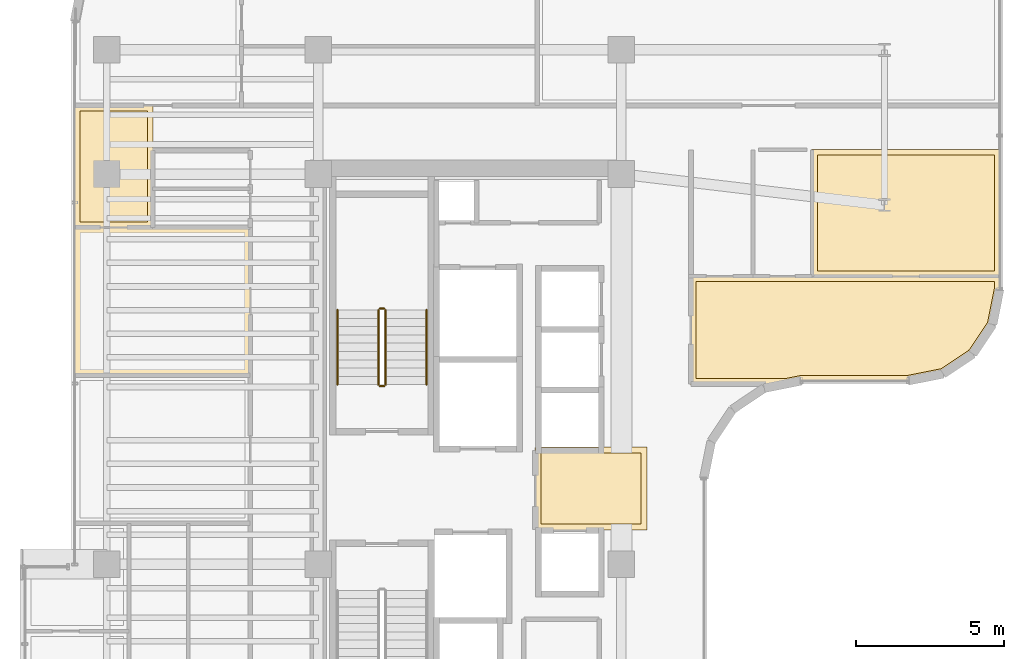
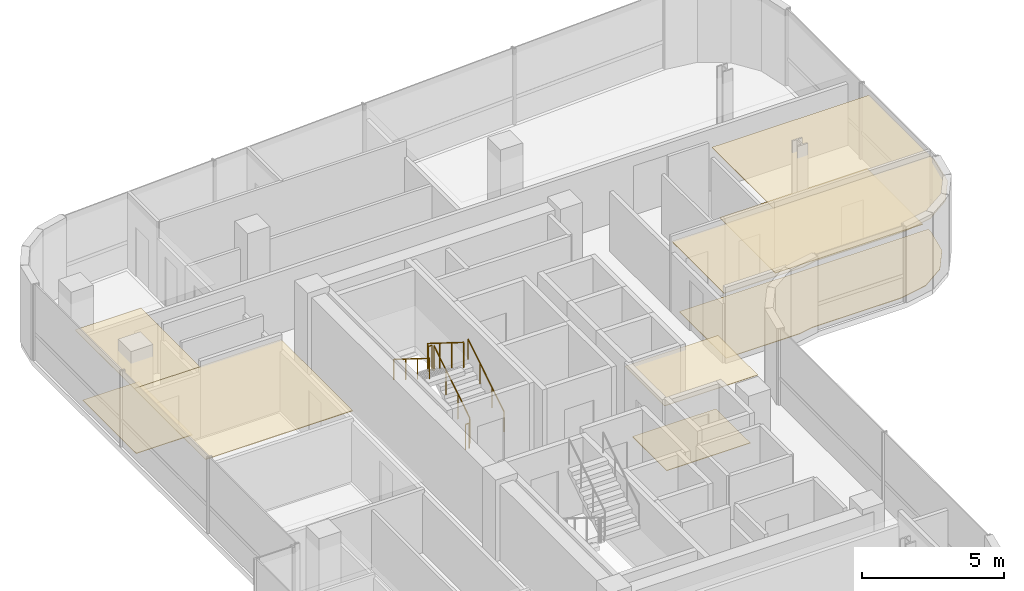
# One storey, part 23 of 24: 9 coverings, 6 railings.
"""IFC4 building model written with IfcOpenShell, lengths in metres."""

from ifc_helpers import new_model, si_unit, direction, frame, origin, origin_2d, place, context, subcontext, project, spatial, polyline, circle, outline, extrude, material, layer, layer_set, type_object, element, save


model = new_model("IFC4")

# Units and contexts
model_context = context("Model", 3, precision=1e-05, world=origin(), true_north=direction((0.0, 1.0)))
body_context = subcontext(model_context, "Body", "Model", "MODEL_VIEW")
ifc_project = project(units=[si_unit("LENGTHUNIT", "METRE"), si_unit("AREAUNIT", "SQUARE_METRE"), si_unit("VOLUMEUNIT", "CUBIC_METRE"), si_unit("PLANEANGLEUNIT", "RADIAN"), si_unit("MASSUNIT", "GRAM", prefix="KILO")], contexts=[model_context])

# Site, building, storey
site_placement = place(None, origin())
site = spatial("IfcSite", under=ifc_project, at=site_placement, CompositionType="ELEMENT")
building_placement = place(site_placement, origin())
building = spatial("IfcBuilding", under=site, at=building_placement, Name="Valdorenza Pilgrim Sanctuary Tower", CompositionType="ELEMENT")
storey_placement = place(building_placement, frame((0.0, 0.0, 205.5)))
storey = spatial("IfcBuildingStorey", under=building, at=storey_placement, Name="L52", CompositionType="ELEMENT", Elevation=205.5)

# Coverings
ifc_material_1 = material(Name="Micro-perforated acoustic mineral ceiling tile", Category="gypsum")
ifc_layer_1 = layer(ifc_material_1, 0.02490234375, Name="Micro-perforated acoustic mineral ceiling tile")
ifc_layer_set_1 = layer_set([ifc_layer_1], Name="Micro-perforated acoustic mineral ceiling tile")
covering_type_1 = type_object("IfcCoveringType", Name="COV-CLG-ACU", PredefinedType="CEILING", material=ifc_layer_set_1)
covering_1_placement = place(storey_placement, frame((0.0, 0.0, 2.9599609375)))
element("IfcCovering", 1, at=covering_1_placement, inside=storey, type_object=covering_type_1, Name="L52 Core A Passenger Lift Lobby Acoustic Ceiling", PredefinedType="CEILING", context=body_context, shape_type="SweptSolid", body=[
    extrude(outline(polyline([(-15.31298828125, 1.244384765625), (-15.31298828125, 1.24462890625), (-15.313720703125, 1.24609375), (-15.314208984375, 1.24755859375), (-15.314697265625, 1.2490234375), (-15.31494140625, 1.25048828125), (-15.31494140625, 1.251953125), (-15.31494140625, 1.35009765625), (-15.31494140625, 1.3515625), (-15.314697265625, 1.352783203125), (-15.314453125, 1.3544921875), (-15.31396484375, 1.355712890625), (-15.313232421875, 1.357177734375), (-15.3125, 1.3583984375), (-15.3115234375, 1.359619140625), (-15.310546875, 1.360595703125), (-15.3095703125, 1.361572265625), (-15.308349609375, 1.362548828125), (-15.30712890625, 1.36328125), (-15.3056640625, 1.364013671875), (-15.304443359375, 1.364501953125), (-15.302978515625, 1.36474609375), (-15.301513671875, 1.364990234375), (-15.300048828125, 1.364990234375), (-15.10205078125, 1.364990234375), (-15.1005859375, 1.364990234375), (-15.09912109375, 1.36474609375), (-15.097412109375, 1.3642578125), (-15.09619140625, 1.36376953125), (-15.0947265625, 1.363037109375), (-15.094482421875, 1.363037109375), (-13.185546875, 1.363037109375), (-13.185302734375, 1.363037109375), (-13.183837890625, 1.36376953125), (-13.1826171875, 1.3642578125), (-13.180908203125, 1.36474609375), (-13.179443359375, 1.364990234375), (-13.177978515625, 1.364990234375), (-11.550048828125, 1.364990234375), (-11.548583984375, 1.364990234375), (-11.547119140625, 1.36474609375), (-11.545654296875, 1.364501953125), (-11.544189453125, 1.364013671875), (-11.54296875, 1.36328125), (-11.541748046875, 1.362548828125), (-11.54052734375, 1.361572265625), (-11.539306640625, 1.360595703125), (-11.538330078125, 1.359619140625), (-11.53759765625, 1.3583984375), (-11.536865234375, 1.357177734375), (-11.5361328125, 1.355712890625), (-11.53564453125, 1.3544921875), (-11.535400390625, 1.352783203125), (-11.53515625, 1.3515625), (-11.534912109375, 1.35009765625), (-11.534912109375, -1.419921875), (-11.53515625, -1.42138671875), (-11.535400390625, -1.4228515625), (-11.53564453125, -1.42431640625), (-11.5361328125, -1.42578125), (-11.536865234375, -1.427001953125), (-11.53759765625, -1.42822265625), (-11.538330078125, -1.429443359375), (-11.539306640625, -1.4306640625), (-11.54052734375, -1.431640625), (-11.541748046875, -1.4326171875), (-11.54296875, -1.43310546875), (-11.544189453125, -1.433837890625), (-11.545654296875, -1.434326171875), (-11.547119140625, -1.434814453125), (-11.548583984375, -1.434814453125), (-11.550048828125, -1.43505859375), (-15.298095703125, -1.43505859375), (-15.299560546875, -1.434814453125), (-15.30078125, -1.434814453125), (-15.302490234375, -1.434326171875), (-15.3037109375, -1.433837890625), (-15.30517578125, -1.43310546875), (-15.306396484375, -1.4326171875), (-15.3076171875, -1.431640625), (-15.30859375, -1.4306640625), (-15.3095703125, -1.429443359375), (-15.310546875, -1.42822265625), (-15.311279296875, -1.427001953125), (-15.31201171875, -1.42578125), (-15.3125, -1.42431640625), (-15.312744140625, -1.4228515625), (-15.31298828125, -1.42138671875), (-15.31298828125, -1.419921875), (-15.31298828125, 1.244384765625)])), origin(), (0.0, 0.0, 1.0), 0.025146484375),
])
covering_2_placement = place(storey_placement, frame((0.0, 0.0, 2.9599609375)))
element("IfcCovering", 2, at=covering_2_placement, inside=storey, type_object=covering_type_1, Name="L52 Pilgrim Scholar Office L52-WN Acoustic Ceiling", PredefinedType="CEILING", context=body_context, shape_type="SweptSolid", body=[
    extrude(outline(polyline([(-28.237060546875, 11.39453125), (-28.237060546875, 10.103759765625), (-28.23681640625, 10.10302734375), (-28.23681640625, 10.1015625), (-28.23681640625, 10.10009765625), (-28.23681640625, 10.098388671875), (-28.237060546875, 10.09814453125), (-28.237060546875, 8.800048828125), (-28.237060546875, 8.798583984375), (-28.2373046875, 8.797119140625), (-28.237548828125, 8.795654296875), (-28.238037109375, 8.794189453125), (-28.23876953125, 8.79296875), (-28.239501953125, 8.791748046875), (-28.240478515625, 8.79052734375), (-28.241455078125, 8.789306640625), (-28.242431640625, 8.788330078125), (-28.24365234375, 8.78759765625), (-28.244873046875, 8.786865234375), (-28.246337890625, 8.7861328125), (-28.24755859375, 8.78564453125), (-28.2490234375, 8.785400390625), (-28.25048828125, 8.78515625), (-28.251953125, 8.784912109375), (-30.889892578125, 8.784912109375), (-30.8916015625, 8.78515625), (-30.892822265625, 8.785400390625), (-30.894287109375, 8.78564453125), (-30.895751953125, 8.7861328125), (-30.897216796875, 8.786865234375), (-30.898193359375, 8.78759765625), (-30.8994140625, 8.788330078125), (-30.900634765625, 8.789306640625), (-30.901611328125, 8.79052734375), (-30.902587890625, 8.791748046875), (-30.9033203125, 8.79296875), (-30.90380859375, 8.794189453125), (-30.904296875, 8.795654296875), (-30.90478515625, 8.797119140625), (-30.90478515625, 8.798583984375), (-30.905029296875, 8.800048828125), (-30.905029296875, 12.919921875), (-30.90478515625, 12.92138671875), (-30.90478515625, 12.9228515625), (-30.904296875, 12.92431640625), (-30.90380859375, 12.92578125), (-30.9033203125, 12.927001953125), (-30.902587890625, 12.92822265625), (-30.901611328125, 12.929443359375), (-30.900634765625, 12.9306640625), (-30.8994140625, 12.931640625), (-30.898193359375, 12.9326171875), (-30.897216796875, 12.93310546875), (-30.895751953125, 12.933837890625), (-30.894287109375, 12.934326171875), (-30.892822265625, 12.934814453125), (-30.8916015625, 12.934814453125), (-30.889892578125, 12.93505859375), (-28.25, 12.93505859375), (-28.24853515625, 12.934814453125), (-28.2470703125, 12.934814453125), (-28.24560546875, 12.934326171875), (-28.244384765625, 12.933837890625), (-28.242919921875, 12.93310546875), (-28.24169921875, 12.9326171875), (-28.240478515625, 12.931640625), (-28.239501953125, 12.9306640625), (-28.23828125, 12.929443359375), (-28.237548828125, 12.92822265625), (-28.23681640625, 12.927001953125), (-28.236083984375, 12.92578125), (-28.235595703125, 12.92431640625), (-28.2353515625, 12.9228515625), (-28.235107421875, 12.92138671875), (-28.235107421875, 12.919921875), (-28.235107421875, 11.402099609375), (-28.235107421875, 11.400390625), (-28.2353515625, 11.39892578125), (-28.235595703125, 11.3974609375), (-28.236083984375, 11.39599609375), (-28.23681640625, 11.394775390625), (-28.237060546875, 11.39453125)])), origin(), (0.0, 0.0, 1.0), 0.025146484375),
])
covering_3_placement = place(storey_placement, frame((0.0, 0.0, 2.9599609375)))
element("IfcCovering", 3, at=covering_3_placement, inside=storey, type_object=covering_type_1, Name="L52 Curator Research Office L52-W Acoustic Ceiling", PredefinedType="CEILING", context=body_context, shape_type="SweptSolid", body=[
    extrude(outline(polyline([(-28.253662109375, 8.81298828125), (-28.253173828125, 8.81298828125), (-28.25146484375, 8.813232421875), (-28.25, 8.813232421875), (-28.24853515625, 8.81298828125), (-28.248291015625, 8.81298828125), (-24.949951171875, 8.81298828125), (-24.948486328125, 8.81298828125), (-24.947021484375, 8.812744140625), (-24.945556640625, 8.8125), (-24.9443359375, 8.81201171875), (-24.94287109375, 8.811279296875), (-24.941650390625, 8.810546875), (-24.9404296875, 8.8095703125), (-24.939453125, 8.80859375), (-24.9384765625, 8.8076171875), (-24.9375, 8.806396484375), (-24.936767578125, 8.80517578125), (-24.93603515625, 8.8037109375), (-24.935546875, 8.802490234375), (-24.935302734375, 8.80078125), (-24.93505859375, 8.799560546875), (-24.93505859375, 8.798095703125), (-24.93505859375, 3.797607421875), (-24.93505859375, 3.7958984375), (-24.935302734375, 3.794677734375), (-24.935546875, 3.793212890625), (-24.93603515625, 3.791748046875), (-24.936767578125, 3.790283203125), (-24.9375, 3.789306640625), (-24.9384765625, 3.7880859375), (-24.939453125, 3.786865234375), (-24.9404296875, 3.785888671875), (-24.941650390625, 3.784912109375), (-24.94287109375, 3.7841796875), (-24.9443359375, 3.78369140625), (-24.945556640625, 3.783203125), (-24.947021484375, 3.78271484375), (-24.948486328125, 3.78271484375), (-24.949951171875, 3.782470703125), (-30.889892578125, 3.782470703125), (-30.8916015625, 3.78271484375), (-30.892822265625, 3.78271484375), (-30.894287109375, 3.783203125), (-30.895751953125, 3.78369140625), (-30.897216796875, 3.7841796875), (-30.898193359375, 3.784912109375), (-30.8994140625, 3.785888671875), (-30.900634765625, 3.786865234375), (-30.901611328125, 3.7880859375), (-30.902587890625, 3.789306640625), (-30.9033203125, 3.790283203125), (-30.90380859375, 3.791748046875), (-30.904296875, 3.793212890625), (-30.90478515625, 3.794677734375), (-30.90478515625, 3.7958984375), (-30.905029296875, 3.797607421875), (-30.905029296875, 8.798095703125), (-30.90478515625, 8.799560546875), (-30.90478515625, 8.80078125), (-30.904296875, 8.802490234375), (-30.90380859375, 8.8037109375), (-30.9033203125, 8.80517578125), (-30.902587890625, 8.806396484375), (-30.901611328125, 8.8076171875), (-30.900634765625, 8.80859375), (-30.8994140625, 8.8095703125), (-30.898193359375, 8.810546875), (-30.897216796875, 8.811279296875), (-30.895751953125, 8.81201171875), (-30.894287109375, 8.8125), (-30.892822265625, 8.812744140625), (-30.8916015625, 8.81298828125), (-30.889892578125, 8.81298828125), (-28.253662109375, 8.81298828125)])), origin(), (0.0, 0.0, 1.0), 0.025146484375),
])
covering_4_placement = place(storey_placement, frame((0.0, 0.0, 2.9599609375)))
element("IfcCovering", 4, at=covering_4_placement, inside=storey, type_object=covering_type_1, Name="L52 East Sanctuary Apartment L52-E1 Bedroom Acoustic Ceiling", PredefinedType="CEILING", context=body_context, shape_type="SweptSolid", body=[
    extrude(outline(polyline([(-5.965087890625, 11.419921875), (-5.96484375, 11.42138671875), (-5.964599609375, 11.4228515625), (-5.96435546875, 11.42431640625), (-5.9638671875, 11.42578125), (-5.963134765625, 11.427001953125), (-5.96240234375, 11.42822265625), (-5.961669921875, 11.429443359375), (-5.960693359375, 11.4306640625), (-5.95947265625, 11.431640625), (-5.958251953125, 11.4326171875), (-5.95703125, 11.43310546875), (-5.955810546875, 11.433837890625), (-5.954345703125, 11.434326171875), (-5.952880859375, 11.434814453125), (-5.951416015625, 11.434814453125), (-5.949951171875, 11.43505859375), (0.389892578125, 11.43505859375), (0.3916015625, 11.434814453125), (0.392822265625, 11.434814453125), (0.394287109375, 11.434326171875), (0.395751953125, 11.433837890625), (0.397216796875, 11.43310546875), (0.398193359375, 11.4326171875), (0.3994140625, 11.431640625), (0.400634765625, 11.4306640625), (0.401611328125, 11.429443359375), (0.402587890625, 11.42822265625), (0.4033203125, 11.427001953125), (0.40380859375, 11.42578125), (0.404296875, 11.42431640625), (0.40478515625, 11.4228515625), (0.40478515625, 11.42138671875), (0.405029296875, 11.419921875), (0.405029296875, 7.143310546875), (0.40478515625, 7.1416015625), (0.40478515625, 7.140380859375), (0.404296875, 7.138916015625), (0.40380859375, 7.137451171875), (0.4033203125, 7.135986328125), (0.402587890625, 7.135009765625), (0.401611328125, 7.1337890625), (0.400634765625, 7.132568359375), (0.3994140625, 7.131591796875), (0.398193359375, 7.130615234375), (0.397216796875, 7.1298828125), (0.395751953125, 7.12939453125), (0.394287109375, 7.12890625), (0.392822265625, 7.12841796875), (0.3916015625, 7.12841796875), (0.389892578125, 7.128173828125), (-5.949951171875, 7.128173828125), (-5.951416015625, 7.12841796875), (-5.952880859375, 7.12841796875), (-5.954345703125, 7.12890625), (-5.955810546875, 7.12939453125), (-5.95703125, 7.1298828125), (-5.958251953125, 7.130615234375), (-5.95947265625, 7.131591796875), (-5.960693359375, 7.132568359375), (-5.961669921875, 7.1337890625), (-5.96240234375, 7.135009765625), (-5.963134765625, 7.135986328125), (-5.9638671875, 7.137451171875), (-5.96435546875, 7.138916015625), (-5.964599609375, 7.140380859375), (-5.96484375, 7.1416015625), (-5.965087890625, 7.143310546875), (-5.965087890625, 11.419921875)])), origin(), (0.0, 0.0, 1.0), 0.025146484375),
])
covering_5_placement = place(storey_placement, frame((0.0, 0.0, 2.9599609375)))
element("IfcCovering", 5, at=covering_5_placement, inside=storey, type_object=covering_type_1, Name="L52 East Sanctuary Apartment L52-E1 Living Room Acoustic Ceiling", PredefinedType="CEILING", context=body_context, shape_type="SweptSolid", body=[
    extrude(outline(polyline([(-10.06494140625, 7.143310546875), (-10.06494140625, 7.144775390625), (-10.064697265625, 7.14599609375), (-10.064453125, 7.147705078125), (-10.06396484375, 7.14892578125), (-10.063232421875, 7.150390625), (-10.0625, 7.151611328125), (-10.0615234375, 7.152587890625), (-10.060546875, 7.15380859375), (-10.0595703125, 7.15478515625), (-10.058349609375, 7.15576171875), (-10.05712890625, 7.156494140625), (-10.0556640625, 7.156982421875), (-10.054443359375, 7.15771484375), (-10.052978515625, 7.157958984375), (-10.051513671875, 7.158203125), (-10.050048828125, 7.158203125), (-5.951904296875, 7.158203125), (-5.95068359375, 7.158203125), (-5.94921875, 7.157958984375), (-5.94775390625, 7.15771484375), (-5.9462890625, 7.156982421875), (-5.945068359375, 7.156494140625), (-5.944580078125, 7.15625), (0.389892578125, 7.15625), (0.3916015625, 7.156005859375), (0.392822265625, 7.156005859375), (0.394287109375, 7.155517578125), (0.395751953125, 7.155029296875), (0.397216796875, 7.154296875), (0.398193359375, 7.15380859375), (0.3994140625, 7.15283203125), (0.400634765625, 7.15185546875), (0.401611328125, 7.150634765625), (0.402587890625, 7.1494140625), (0.4033203125, 7.148193359375), (0.40380859375, 7.14697265625), (0.404296875, 7.1455078125), (0.40478515625, 7.14404296875), (0.40478515625, 7.142578125), (0.405029296875, 7.14111328125), (0.405029296875, 6.710693359375), (0.40478515625, 6.70947265625), (0.40478515625, 6.7080078125), (0.16748046875, 5.515380859375), (0.1669921875, 5.513916015625), (0.16650390625, 5.5126953125), (0.166015625, 5.51123046875), (0.165283203125, 5.510009765625), (-0.504150390625, 4.50830078125), (-0.5048828125, 4.507080078125), (-0.506103515625, 4.506103515625), (-0.507080078125, 4.5048828125), (-0.50830078125, 4.504150390625), (-1.510009765625, 3.834716796875), (-1.51123046875, 3.833984375), (-1.5126953125, 3.83349609375), (-1.513916015625, 3.8330078125), (-1.515380859375, 3.83251953125), (-2.7080078125, 3.59521484375), (-2.70947265625, 3.59521484375), (-2.710693359375, 3.594970703125), (-6.299560546875, 3.594970703125), (-6.309326171875, 3.594482421875), (-6.31884765625, 3.593017578125), (-6.86083984375, 3.4853515625), (-6.8623046875, 3.485107421875), (-6.86376953125, 3.485107421875), (-10.050048828125, 3.485107421875), (-10.051513671875, 3.485107421875), (-10.052978515625, 3.4853515625), (-10.054443359375, 3.485595703125), (-10.0556640625, 3.486083984375), (-10.05712890625, 3.48681640625), (-10.058349609375, 3.487548828125), (-10.0595703125, 3.48828125), (-10.060546875, 3.489501953125), (-10.0615234375, 3.490478515625), (-10.0625, 3.49169921875), (-10.063232421875, 3.492919921875), (-10.06396484375, 3.494384765625), (-10.064453125, 3.49560546875), (-10.064697265625, 3.4970703125), (-10.06494140625, 3.49853515625), (-10.06494140625, 3.5), (-10.06494140625, 7.143310546875)])), origin(), (0.0, 0.0, 1.0), 0.025146484375),
])
ifc_material_2 = material(Name="Engineered European oak timber flooring", Category="wood")
ifc_layer_2 = layer(ifc_material_2, 0.02197265625, Name="Engineered European oak timber flooring")
ifc_layer_set_2 = layer_set([ifc_layer_2], Name="Engineered European oak timber flooring")
covering_type_2 = type_object("IfcCoveringType", Name="COV-FLR-OAK", PredefinedType="FLOORING", material=ifc_layer_set_2)
covering_6_placement = place(storey_placement, origin())
element("IfcCovering", 6, at=covering_6_placement, inside=storey, type_object=covering_type_2, Name="L52 East Sanctuary Apartment L52-E1 Bedroom Flooring", PredefinedType="FLOORING", context=body_context, shape_type="SweptSolid", body=[
    extrude(outline(polyline([(-5.77001953125, 11.239990234375), (0.2099609375, 11.239990234375), (0.2099609375, 7.3232421875), (-5.77001953125, 7.3232421875), (-5.77001953125, 11.239990234375)])), origin(), (0.0, 0.0, 1.0), 0.02490234375),
])
covering_7_placement = place(storey_placement, origin())
element("IfcCovering", 7, at=covering_7_placement, inside=storey, type_object=covering_type_2, Name="L52 East Sanctuary Apartment L52-E1 Living Room Flooring", PredefinedType="FLOORING", context=body_context, shape_type="SweptSolid", body=[
    extrude(outline(polyline([(-9.8701171875, 6.963134765625), (-5.976806640625, 6.963134765625), (-5.976806640625, 6.963134765625), (-5.9765625, 6.963134765625), (-5.958984375, 6.96142578125), (-5.958740234375, 6.96142578125), (-5.949951171875, 6.961181640625), (0.2099609375, 6.961181640625), (0.2099609375, 6.728515625), (-0.016845703125, 5.588623046875), (-0.646484375, 4.646484375), (-1.588623046875, 4.016845703125), (-2.728515625, 3.7900390625), (-6.300048828125, 3.7900390625), (-6.308837890625, 3.789794921875), (-6.319580078125, 3.789306640625), (-6.337158203125, 3.78759765625), (-6.347900390625, 3.785888671875), (-6.356689453125, 3.784423828125), (-6.881591796875, 3.679931640625), (-9.8701171875, 3.679931640625), (-9.8701171875, 6.963134765625)])), origin(), (0.0, 0.0, 1.0), 0.02490234375),
])
ifc_material_3 = material(Name="Honed travertine stone flooring", Category="masonry")
ifc_layer_3 = layer(ifc_material_3, 0.030029296875, Name="Honed travertine stone flooring")
ifc_layer_set_3 = layer_set([ifc_layer_3], Name="Honed travertine stone flooring")
covering_type_3 = type_object("IfcCoveringType", Name="COV-FLR-TRV", PredefinedType="FLOORING", material=ifc_layer_set_3)
covering_8_placement = place(storey_placement, origin())
element("IfcCovering", 8, at=covering_8_placement, inside=storey, type_object=covering_type_3, Name="L52 Core A Passenger Lift Lobby Flooring", PredefinedType="FLOORING", context=body_context, shape_type="SweptSolid", body=[
    extrude(outline(polyline([(-15.117919921875, 1.169189453125), (-15.10888671875, 1.168212890625), (-15.10888671875, 1.168212890625), (-15.10009765625, 1.16796875), (-13.179931640625, 1.16796875), (-13.1796875, 1.16796875), (-11.72998046875, 1.169921875), (-11.72998046875, -1.239990234375), (-15.117919921875, -1.239990234375), (-15.117919921875, 1.169189453125)])), origin(), (0.0, 0.0, 1.0), 0.02490234375),
])
covering_9_placement = place(storey_placement, origin())
element("IfcCovering", 9, at=covering_9_placement, inside=storey, type_object=covering_type_3, Name="L52 Pilgrim Scholar Office L52-WN Flooring", PredefinedType="FLOORING", context=body_context, shape_type="SweptSolid", body=[
    extrude(outline(polyline([(-28.431884765625, 10.100341796875), (-28.431884765625, 10.10009765625), (-28.431884765625, 8.97998046875), (-30.7099609375, 8.97998046875), (-30.7099609375, 12.739990234375), (-28.429931640625, 12.739990234375), (-28.429931640625, 11.427001953125), (-28.429931640625, 11.4267578125), (-28.429931640625, 11.426513671875), (-28.431884765625, 11.408935546875), (-28.431884765625, 11.40869140625), (-28.431884765625, 11.39990234375), (-28.431884765625, 10.10205078125), (-28.431884765625, 10.10107421875), (-28.431884765625, 10.100341796875)])), origin(), (0.0, 0.0, 1.0), 0.02490234375),
])

# Railings
ifc_material_4 = material(Name="Stainless steel Grade 316", Category="steel")
railing_type_1 = type_object("IfcRailingType", Name="RLG-GRD-1120", PredefinedType="GUARDRAIL", material=ifc_material_4)
railing_1_placement = place(storey_placement, frame((-20.3701171875, 3.47998046875, 0.175048828125)))
element("IfcRailing", 10, at=railing_1_placement, inside=storey, type_object=railing_type_1, Name="L52 ST-A1 stair guard 1", PredefinedType="GUARDRAIL", context=body_context, shape_type="SweptSolid", body=[
    extrude(circle(Radius=0.02392578125, at=origin_2d()), frame((0.0, 0.0, 1.076171875), z_axis=(0.0, 0.848007534815, 0.529984170421), x_axis=(-1.0, 0.0, 0.0)), (0.0, 0.0, 1.0), 2.9716796875),
    extrude(circle(Radius=0.02099609375, at=origin_2d()), origin(), (0.0, 0.0, 1.0), 1.052001953125),
    extrude(circle(Radius=0.02099609375, at=origin_2d()), frame((0.0, 0.840087890625, 0.52490234375)), (0.0, 0.0, 1.0), 1.052001953125),
    extrude(circle(Radius=0.02099609375, at=origin_2d()), frame((0.0, 1.679931640625, 1.050048828125)), (0.0, 0.0, 1.0), 1.052001953125),
    extrude(circle(Radius=0.02099609375, at=origin_2d()), frame((0.0, 2.52001953125, 1.574951171875)), (0.0, 0.0, 1.0), 1.052001953125),
])
railing_2_placement = place(storey_placement, frame((-20.419921875, 6.050048828125, 1.75)))
element("IfcRailing", 11, at=railing_2_placement, inside=storey, type_object=railing_type_1, Name="L52 ST-A1 stair guard 2", PredefinedType="GUARDRAIL", context=body_context, shape_type="SweptSolid", body=[
    extrude(circle(Radius=0.02392578125, at=origin_2d()), frame((0.0, 0.0, 1.076171875), z_axis=(-1.0, 0.0, 0.0), x_axis=(0.0, -1.0, 0.0)), (0.0, 0.0, 1.0), 0.150146484375),
    extrude(circle(Radius=0.02099609375, at=origin_2d()), origin(), (0.0, 0.0, 1.0), 1.052001953125),
    extrude(circle(Radius=0.02099609375, at=origin_2d()), frame((-0.150146484375, 0.0, 0.0)), (0.0, 0.0, 1.0), 1.052001953125),
])
railing_3_placement = place(storey_placement, frame((-20.6201171875, 6.0, 1.925048828125)))
element("IfcRailing", 12, at=railing_3_placement, inside=storey, type_object=railing_type_1, Name="L52 ST-A1 stair guard 3", PredefinedType="GUARDRAIL", context=body_context, shape_type="SweptSolid", body=[
    extrude(circle(Radius=0.02392578125, at=origin_2d()), frame((0.0, 0.0, 1.076171875), z_axis=(0.0, -0.848007534815, 0.529984170421), x_axis=(1.0, 0.0, 0.0)), (0.0, 0.0, 1.0), 2.9716796875),
    extrude(circle(Radius=0.02099609375, at=origin_2d()), origin(), (0.0, 0.0, 1.0), 1.052001953125),
    extrude(circle(Radius=0.02099609375, at=origin_2d()), frame((0.0, -0.840087890625, 0.52490234375)), (0.0, 0.0, 1.0), 1.052001953125),
    extrude(circle(Radius=0.02099609375, at=origin_2d()), frame((0.0, -1.679931640625, 1.050048828125)), (0.0, 0.0, 1.0), 1.052001953125),
    extrude(circle(Radius=0.02099609375, at=origin_2d()), frame((0.0, -2.52001953125, 1.574951171875)), (0.0, 0.0, 1.0), 1.052001953125),
])
railing_4_placement = place(storey_placement, frame((-20.419921875, 3.429931640625, 0.0)))
element("IfcRailing", 13, at=railing_4_placement, inside=storey, type_object=railing_type_1, Name="L52 ST-A1 stair guard 4", PredefinedType="GUARDRAIL", context=body_context, shape_type="SweptSolid", body=[
    extrude(circle(Radius=0.02392578125, at=origin_2d()), frame((0.0, 0.0, 1.076171875), z_axis=(-1.0, 0.0, 0.0), x_axis=(0.0, -1.0, 0.0)), (0.0, 0.0, 1.0), 0.150146484375),
    extrude(circle(Radius=0.02099609375, at=origin_2d()), origin(), (0.0, 0.0, 1.0), 1.052001953125),
    extrude(circle(Radius=0.02099609375, at=origin_2d()), frame((-0.150146484375, 0.0, 0.0)), (0.0, 0.0, 1.0), 1.052001953125),
])
ifc_material_5 = material(Name="Brushed stainless steel Grade 316", Category="steel")
railing_type_2 = type_object("IfcRailingType", Name="RLG-HND-920", PredefinedType="HANDRAIL", material=ifc_material_5)
railing_5_placement = place(storey_placement, frame((-18.989990234375, 3.47998046875, 0.175048828125)))
element("IfcRailing", 14, at=railing_5_placement, inside=storey, type_object=railing_type_2, Name="L52 ST-A1 stair handrail 1", PredefinedType="HANDRAIL", context=body_context, shape_type="SweptSolid", body=[
    extrude(circle(Radius=0.02392578125, at=origin_2d()), frame((0.0, 0.0, 0.8759765625), z_axis=(0.0, 0.848007534815, 0.529984170421), x_axis=(-1.0, 0.0, 0.0)), (0.0, 0.0, 1.0), 2.9716796875),
    extrude(circle(Radius=0.02099609375, at=origin_2d()), origin(), (0.0, 0.0, 1.0), 0.851806640625),
    extrude(circle(Radius=0.02099609375, at=origin_2d()), frame((0.0, 0.840087890625, 0.52490234375)), (0.0, 0.0, 1.0), 0.851806640625),
    extrude(circle(Radius=0.02099609375, at=origin_2d()), frame((0.0, 1.679931640625, 1.050048828125)), (0.0, 0.0, 1.0), 0.851806640625),
    extrude(circle(Radius=0.02099609375, at=origin_2d()), frame((0.0, 2.52001953125, 1.574951171875)), (0.0, 0.0, 1.0), 0.851806640625),
])
railing_6_placement = place(storey_placement, frame((-22.0, 6.0, 1.925048828125)))
element("IfcRailing", 15, at=railing_6_placement, inside=storey, type_object=railing_type_2, Name="L52 ST-A1 stair handrail 2", PredefinedType="HANDRAIL", context=body_context, shape_type="SweptSolid", body=[
    extrude(circle(Radius=0.02392578125, at=origin_2d()), frame((0.0, 0.0, 0.8759765625), z_axis=(0.0, -0.848007534815, 0.529984170421), x_axis=(1.0, 0.0, 0.0)), (0.0, 0.0, 1.0), 2.9716796875),
    extrude(circle(Radius=0.02099609375, at=origin_2d()), origin(), (0.0, 0.0, 1.0), 0.851806640625),
    extrude(circle(Radius=0.02099609375, at=origin_2d()), frame((0.0, -0.840087890625, 0.52490234375)), (0.0, 0.0, 1.0), 0.851806640625),
    extrude(circle(Radius=0.02099609375, at=origin_2d()), frame((0.0, -1.679931640625, 1.050048828125)), (0.0, 0.0, 1.0), 0.851806640625),
    extrude(circle(Radius=0.02099609375, at=origin_2d()), frame((0.0, -2.52001953125, 1.574951171875)), (0.0, 0.0, 1.0), 0.851806640625),
])

save(model, "model.ifc")
